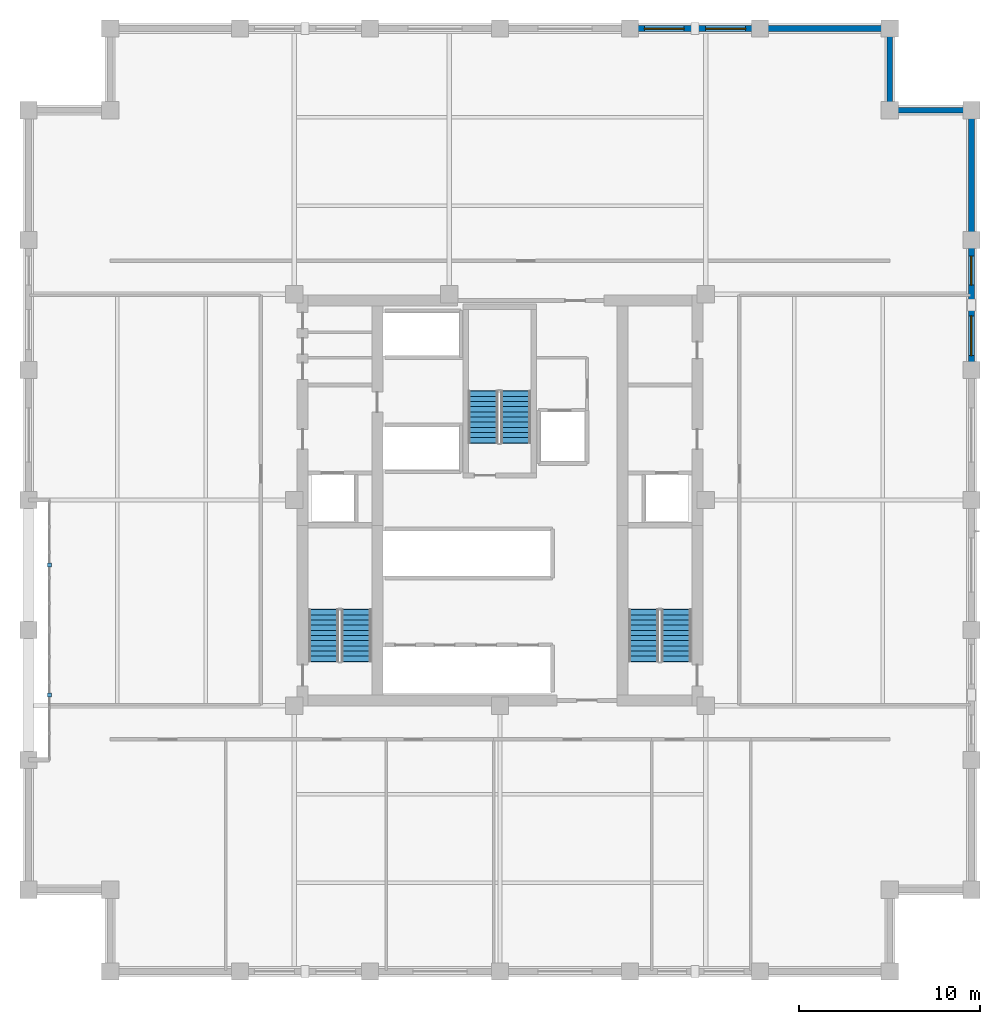
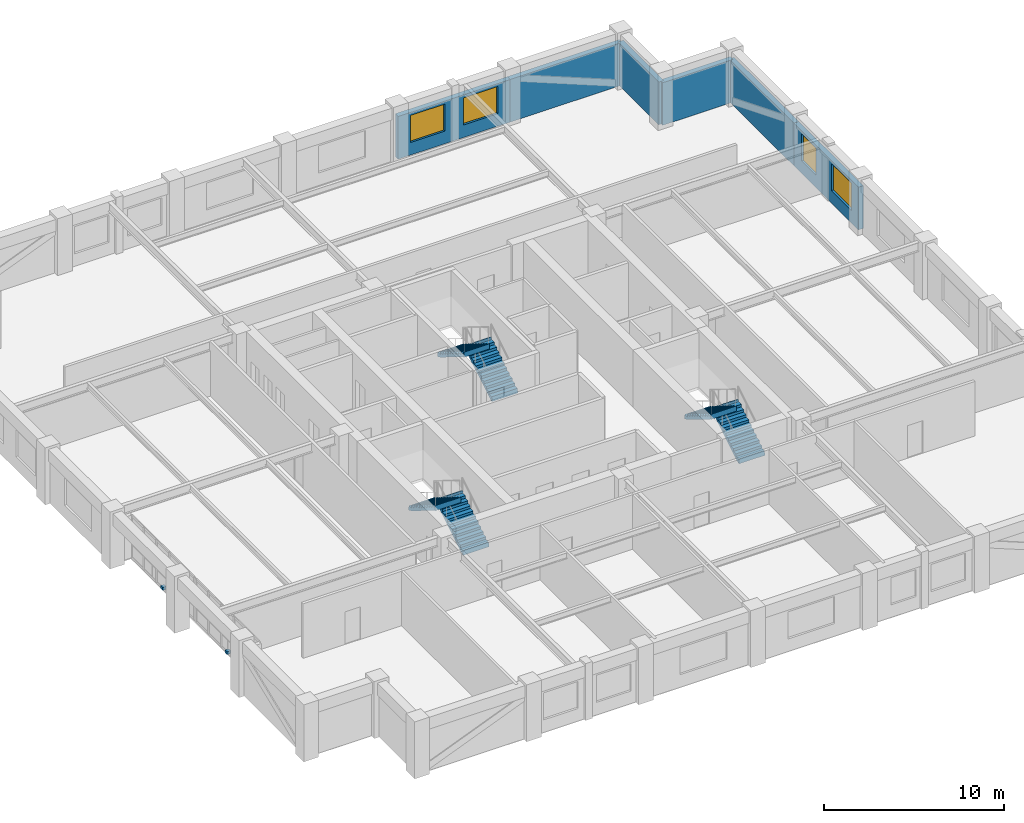
# One storey, part 10 of 12: 6 stair flights, 6 walls, 4 windows, 2 discrete accessories, 4 openings, 3 elements without a shape of their own.
"""IFC4 building model written with IfcOpenShell, lengths in metres."""

from ifc_helpers import new_model, si_unit, direction, frame, frame_2d, origin, origin_2d, place, context, subcontext, project, spatial, polyline, rectangle, outline, extrude, material, layer, layer_set, type_object, element, fill, aggregate, save


model = new_model("IFC4")

# Units and contexts
model_context = context("Model", 3, precision=1e-05, world=origin(), true_north=direction((0.0, 1.0)))
body_context = subcontext(model_context, "Body", "Model", "MODEL_VIEW")
ifc_project = project(units=[si_unit("LENGTHUNIT", "METRE"), si_unit("AREAUNIT", "SQUARE_METRE"), si_unit("VOLUMEUNIT", "CUBIC_METRE"), si_unit("PLANEANGLEUNIT", "RADIAN"), si_unit("MASSUNIT", "GRAM", prefix="KILO")], contexts=[model_context])

# Site, building, storey
site_placement = place(None, origin())
site = spatial("IfcSite", under=ifc_project, at=site_placement, CompositionType="ELEMENT")
building_placement = place(site_placement, origin())
building = spatial("IfcBuilding", under=site, at=building_placement, Name="Nhamokura Convention Tower", CompositionType="ELEMENT")
storey_placement = place(building_placement, frame((0.0, 0.0, 164.5)))
storey = spatial("IfcBuildingStorey", under=building, at=storey_placement, Name="L40", CompositionType="ELEMENT", Elevation=164.5)

# Wall, openings, windows
ifc_material_1 = material(Name="Bronze-pigmented precast concrete C45/55", Category="concrete")
ifc_layer = layer(ifc_material_1, 0.320068359375)
ifc_layer_set = layer_set([ifc_layer], Name="BronzePrecastSpandrel_320")
wall_type = type_object("IfcWallType", Name="BronzePrecastSpandrel_320", PredefinedType="USERDEFINED", material=ifc_layer_set)
wall_1_placement = place(storey_placement, frame((39.166748046875, 58.0, 0.0), z_axis=(0.0, 0.0, 1.0), x_axis=(1.0, 0.0, 0.0)))
wall_1 = element("IfcWall", 1, at=wall_1_placement, inside=storey, type_object=wall_type, Name="L40 Masonry-Frame Wall NORTH 4", ObjectType="SPANDREL_WALL", PredefinedType="USERDEFINED", context=body_context, shape_type="SweptSolid", body=[
    extrude(rectangle(XDim=7.16650390625, YDim=0.320068359375, at=frame_2d((3.583251953125, 0.0))), origin(), (0.0, 0.0, 1.0), 2.885009765625),
])
opening_1_placement = place(wall_1_placement, frame((0.791748046875, 0.0, 0.85009765625)))
opening_1 = element("IfcOpeningElement", 2, at=opening_1_placement, cuts=wall_1, Name="Opening W-06", PredefinedType="OPENING", context=body_context, shape_type="SweptSolid", body=[
    extrude(rectangle(XDim=2.199951171875, YDim=1.8349609375, at=frame_2d((1.10009765625, 0.91748046875))), frame((0.0, 0.169921875, 0.0), z_axis=(0.0, -1.0, 0.0), x_axis=(1.0, 0.0, 0.0)), (0.0, 0.0, 1.0), 0.340087890625),
])
opening_2_placement = place(wall_1_placement, frame((4.175048828125, 0.0, 0.85009765625)))
opening_2 = element("IfcOpeningElement", 3, at=opening_2_placement, cuts=wall_1, Name="Opening W-06", PredefinedType="OPENING", context=body_context, shape_type="SweptSolid", body=[
    extrude(rectangle(XDim=2.199951171875, YDim=1.8349609375, at=frame_2d((1.10009765625, 0.91748046875))), frame((0.0, 0.169921875, 0.0), z_axis=(0.0, -1.0, 0.0), x_axis=(1.0, 0.0, 0.0)), (0.0, 0.0, 1.0), 0.340087890625),
])
ifc_material_2 = material(Name="Solar-control bronze low-E double glass", Category="glass")
window_type_1 = type_object("IfcWindowType", Name="OfficeModuleWindow_Z2_2200", PartitioningType="SINGLE_PANEL", PredefinedType="WINDOW", material=ifc_material_2)
window_1_placement = place(opening_1_placement, origin())
window_1 = element("IfcWindow", 4, at=window_1_placement, inside=storey, type_object=window_type_1, Name="L40 Facade Window NORTH 4-1", OverallHeight=1.8349609375, OverallWidth=2.199951171875, PartitioningType="SINGLE_PANEL", PredefinedType="WINDOW", context=body_context, shape_type="SweptSolid", body=[
    extrude(rectangle(XDim=2.199951171875, YDim=1.8349609375, at=frame_2d((1.10009765625, 0.91748046875))), frame((0.0, 0.030029296875, 0.0), z_axis=(0.0, -1.0, 0.0), x_axis=(1.0, 0.0, 0.0)), (0.0, 0.0, 1.0), 0.06005859375),
])
fill(opening_1, window_1)
window_2_placement = place(opening_2_placement, origin())
window_2 = element("IfcWindow", 5, at=window_2_placement, inside=storey, type_object=window_type_1, Name="L40 Facade Window NORTH 4-2", OverallHeight=1.8349609375, OverallWidth=2.199951171875, PartitioningType="SINGLE_PANEL", PredefinedType="WINDOW", context=body_context, shape_type="SweptSolid", body=[
    extrude(rectangle(XDim=2.199951171875, YDim=1.8349609375, at=frame_2d((1.10009765625, 0.91748046875))), frame((0.0, 0.030029296875, 0.0), z_axis=(0.0, -1.0, 0.0), x_axis=(1.0, 0.0, 0.0)), (0.0, 0.0, 1.0), 0.06005859375),
])
fill(opening_2, window_2)

# Wall
wall_2_placement = place(storey_placement, frame((46.333251953125, 58.0, 0.0), z_axis=(0.0, 0.0, 1.0), x_axis=(1.0, 0.0, 0.0)))
element("IfcWall", 6, at=wall_2_placement, inside=storey, type_object=wall_type, Name="L40 Braced-Bay Precast Wall NORTH 5", ObjectType="SPANDREL_WALL", PredefinedType="USERDEFINED", context=body_context, shape_type="SweptSolid", body=[
    extrude(rectangle(XDim=7.166748046875, YDim=0.320068359375, at=frame_2d((3.58349609375, 0.0))), origin(), (0.0, 0.0, 1.0), 2.885009765625),
])

# Wall, openings, windows
wall_3_placement = place(storey_placement, frame((58.0, 46.333251953125, 0.0), z_axis=(0.0, 0.0, 1.0), x_axis=(0.0, -1.0, 0.0)))
wall_3 = element("IfcWall", 7, at=wall_3_placement, inside=storey, type_object=wall_type, Name="L40 Masonry-Frame Wall EAST 4", ObjectType="SPANDREL_WALL", PredefinedType="USERDEFINED", context=body_context, shape_type="SweptSolid", body=[
    extrude(rectangle(XDim=7.16650390625, YDim=0.320068359375, at=frame_2d((3.583251953125, 0.0))), origin(), (0.0, 0.0, 1.0), 2.885009765625),
])
opening_3_placement = place(wall_3_placement, frame((0.879150390625, 0.0, 0.85009765625)))
opening_3 = element("IfcOpeningElement", 8, at=opening_3_placement, cuts=wall_3, Name="Opening W-11", PredefinedType="OPENING", context=body_context, shape_type="SweptSolid", body=[
    extrude(rectangle(XDim=1.60009765625, YDim=1.8349609375, at=frame_2d((0.800048828125, 0.91748046875))), frame((0.0, 0.169921875, 0.0), z_axis=(0.0, -1.0, 0.0), x_axis=(1.0, 0.0, 0.0)), (0.0, 0.0, 1.0), 0.340087890625),
])
opening_4_placement = place(wall_3_placement, frame((4.175048828125, 0.0, 0.85009765625)))
opening_4 = element("IfcOpeningElement", 9, at=opening_4_placement, cuts=wall_3, Name="Opening W-06", PredefinedType="OPENING", context=body_context, shape_type="SweptSolid", body=[
    extrude(rectangle(XDim=2.199951171875, YDim=1.8349609375, at=frame_2d((1.10009765625, 0.91748046875))), frame((0.0, 0.169921875, 0.0), z_axis=(0.0, -1.0, 0.0), x_axis=(1.0, 0.0, 0.0)), (0.0, 0.0, 1.0), 0.340087890625),
])
ifc_material_3 = material(Name="Solar-control bronze low-E double glass", Category="glass")
window_type_2 = type_object("IfcWindowType", Name="NotchCornerWindow_1600", PartitioningType="SINGLE_PANEL", PredefinedType="WINDOW", material=ifc_material_3)
window_3_placement = place(opening_3_placement, origin())
window_3 = element("IfcWindow", 10, at=window_3_placement, inside=storey, type_object=window_type_2, Name="L40 Facade Window EAST 4-1", OverallHeight=1.8349609375, OverallWidth=1.60009765625, PartitioningType="SINGLE_PANEL", PredefinedType="WINDOW", context=body_context, shape_type="SweptSolid", body=[
    extrude(rectangle(XDim=1.60009765625, YDim=1.8349609375, at=frame_2d((0.800048828125, 0.91748046875))), frame((0.0, 0.030029296875, 0.0), z_axis=(0.0, -1.0, 0.0), x_axis=(1.0, 0.0, 0.0)), (0.0, 0.0, 1.0), 0.06005859375),
])
fill(opening_3, window_3)
window_4_placement = place(opening_4_placement, origin())
window_4 = element("IfcWindow", 11, at=window_4_placement, inside=storey, type_object=window_type_1, Name="L40 Facade Window EAST 4-2", OverallHeight=1.8349609375, OverallWidth=2.199951171875, PartitioningType="SINGLE_PANEL", PredefinedType="WINDOW", context=body_context, shape_type="SweptSolid", body=[
    extrude(rectangle(XDim=2.199951171875, YDim=1.8349609375, at=frame_2d((1.10009765625, 0.91748046875))), frame((0.0, 0.030029296875, 0.0), z_axis=(0.0, -1.0, 0.0), x_axis=(1.0, 0.0, 0.0)), (0.0, 0.0, 1.0), 0.06005859375),
])
fill(opening_4, window_4)

# Walls
wall_4_placement = place(storey_placement, frame((58.0, 53.5, 0.0), z_axis=(0.0, 0.0, 1.0), x_axis=(0.0, -1.0, 0.0)))
element("IfcWall", 12, at=wall_4_placement, inside=storey, type_object=wall_type, Name="L40 Braced-Bay Precast Wall EAST 5", ObjectType="SPANDREL_WALL", PredefinedType="USERDEFINED", context=body_context, shape_type="SweptSolid", body=[
    extrude(rectangle(XDim=7.166748046875, YDim=0.320068359375, at=frame_2d((3.58349609375, 0.0))), origin(), (0.0, 0.0, 1.0), 2.885009765625),
])
for number, where, z_axis, x_axis, name in (
    (13, (53.5, 53.5, 0.0), (0.0, 0.0, 1.0), (1.0, 0.0, 0.0), "L40 Notched Corner Wall NE1"),
    (14, (53.5, 58.0, 0.0), (0.0, 0.0, 1.0), (0.0, -1.0, 0.0), "L40 Notched Corner Wall NE2"),
):
    element("IfcWall", number, at=place(storey_placement, frame(where, z_axis=z_axis, x_axis=x_axis)), inside=storey, type_object=wall_type, Name=name, ObjectType="SPANDREL_WALL", PredefinedType="USERDEFINED", context=body_context, shape_type="SweptSolid", body=[
        extrude(rectangle(XDim=4.5, YDim=0.320068359375, at=frame_2d((2.25, 0.0))), origin(), (0.0, 0.0, 1.0), 2.885009765625),
    ])

# Stair, stair flights
ifc_material_4 = material(Name="Concrete C40/50", Category="concrete")
stair_type = type_object("IfcStairType", Name="TowerCoreStair_1650", PredefinedType="HALF_TURN_STAIR", material=ifc_material_4)
stair_1_placement = place(storey_placement, origin())
stair_1 = element("IfcStair", 15, at=stair_1_placement, inside=storey, type_object=stair_type, Name="L40 West Core Smokeproof Stair ST-01", PredefinedType="HALF_TURN_STAIR")
ifc_material_5 = material(Name="Concrete C40/50", Category="concrete")
stair_flight_type = type_object("IfcStairFlightType", Name="TowerCoreStair_1650_Flight", PredefinedType="STRAIGHT", material=ifc_material_5)
stair_flight_1_placement = place(storey_placement, frame((24.074951171875, 23.10009765625, 0.0), z_axis=(0.0, 0.0, 1.0), x_axis=(0.0, 1.0, 0.0)))
stair_flight_1 = element("IfcStairFlight", 16, at=stair_flight_1_placement, type_object=stair_flight_type, Name="ST-01 flight 1", NumberOfRisers=11, NumberOfTreads=10, PredefinedType="STRAIGHT", RiserHeight=0.175, TreadLength=0.285, context=body_context, shape_type="SweptSolid", body=[
    extrude(outline(polyline([(-0.0419921875, 0.0), (0.0, 0.175048828125), (0.284912109375, 0.175048828125), (0.284912109375, 0.35009765625), (0.570068359375, 0.35009765625), (0.570068359375, 0.52490234375), (0.85498046875, 0.52490234375), (0.85498046875, 0.699951171875), (1.139892578125, 0.699951171875), (1.139892578125, 0.875), (1.425048828125, 0.875), (1.425048828125, 1.050048828125), (1.7099609375, 1.050048828125), (1.7099609375, 1.22509765625), (1.9951171875, 1.22509765625), (1.9951171875, 1.39990234375), (2.280029296875, 1.39990234375), (2.280029296875, 1.574951171875), (2.56494140625, 1.574951171875), (2.56494140625, 1.75), (2.85009765625, 1.75), (2.85009765625, 1.925048828125), (2.89208984375, 1.925048828125), (2.89208984375, 1.573974609375), (2.85009765625, 1.573974609375), (0.286376953125, 0.0), (0.02001953125, -0.1298828125), (-0.0419921875, -0.1298828125), (-0.0419921875, 0.0)])), frame((0.0, 0.824951171875, 0.0), z_axis=(0.0, -1.0, 0.0), x_axis=(1.0, 0.0, 0.0)), (0.0, 0.0, 1.0), 1.64990234375),
])
stair_flight_2_placement = place(storey_placement, frame((22.27490234375, 25.949951171875, 1.925048828125), z_axis=(0.0, 0.0, 1.0), x_axis=(0.0, -1.0, 0.0)))
stair_flight_2 = element("IfcStairFlight", 17, at=stair_flight_2_placement, type_object=stair_flight_type, Name="ST-01 flight 2", NumberOfRisers=11, NumberOfTreads=10, PredefinedType="STRAIGHT", RiserHeight=0.175, TreadLength=0.285, context=body_context, shape_type="SweptSolid", body=[
    extrude(outline(polyline([(-0.0419921875, 0.0), (0.0, 0.175048828125), (0.284912109375, 0.175048828125), (0.284912109375, 0.35009765625), (0.570068359375, 0.35009765625), (0.570068359375, 0.52490234375), (0.85498046875, 0.52490234375), (0.85498046875, 0.699951171875), (1.139892578125, 0.699951171875), (1.139892578125, 0.875), (1.425048828125, 0.875), (1.425048828125, 1.050048828125), (1.7099609375, 1.050048828125), (1.7099609375, 1.22509765625), (1.9951171875, 1.22509765625), (1.9951171875, 1.39990234375), (2.280029296875, 1.39990234375), (2.280029296875, 1.574951171875), (2.56494140625, 1.574951171875), (2.56494140625, 1.75), (2.85009765625, 1.75), (2.85009765625, 1.925048828125), (2.89208984375, 1.925048828125), (2.89208984375, 1.573974609375), (2.85009765625, 1.573974609375), (0.286376953125, 0.0), (0.02001953125, -0.1298828125), (-0.0419921875, -0.1298828125), (-0.0419921875, 0.0)])), frame((0.0, 0.824951171875, 0.0), z_axis=(0.0, -1.0, 0.0), x_axis=(1.0, 0.0, 0.0)), (0.0, 0.0, 1.0), 1.64990234375),
])
aggregate(stair_1, [stair_flight_1, stair_flight_2])

stair_2_placement = place(storey_placement, origin())
stair_2 = element("IfcStair", 18, at=stair_2_placement, inside=storey, type_object=stair_type, Name="L40 East Core Smokeproof Stair ST-02", PredefinedType="HALF_TURN_STAIR")
stair_flight_3_placement = place(storey_placement, frame((41.72509765625, 23.10009765625, 0.0), z_axis=(0.0, 0.0, 1.0), x_axis=(0.0, 1.0, 0.0)))
stair_flight_3 = element("IfcStairFlight", 19, at=stair_flight_3_placement, type_object=stair_flight_type, Name="ST-02 flight 1", NumberOfRisers=11, NumberOfTreads=10, PredefinedType="STRAIGHT", RiserHeight=0.175, TreadLength=0.285, context=body_context, shape_type="SweptSolid", body=[
    extrude(outline(polyline([(-0.0419921875, 0.0), (0.0, 0.175048828125), (0.284912109375, 0.175048828125), (0.284912109375, 0.35009765625), (0.570068359375, 0.35009765625), (0.570068359375, 0.52490234375), (0.85498046875, 0.52490234375), (0.85498046875, 0.699951171875), (1.139892578125, 0.699951171875), (1.139892578125, 0.875), (1.425048828125, 0.875), (1.425048828125, 1.050048828125), (1.7099609375, 1.050048828125), (1.7099609375, 1.22509765625), (1.9951171875, 1.22509765625), (1.9951171875, 1.39990234375), (2.280029296875, 1.39990234375), (2.280029296875, 1.574951171875), (2.56494140625, 1.574951171875), (2.56494140625, 1.75), (2.85009765625, 1.75), (2.85009765625, 1.925048828125), (2.89208984375, 1.925048828125), (2.89208984375, 1.573974609375), (2.85009765625, 1.573974609375), (0.286376953125, 0.0), (0.02001953125, -0.1298828125), (-0.0419921875, -0.1298828125), (-0.0419921875, 0.0)])), frame((0.0, 0.824951171875, 0.0), z_axis=(0.0, -1.0, 0.0), x_axis=(1.0, 0.0, 0.0)), (0.0, 0.0, 1.0), 1.64990234375),
])
stair_flight_4_placement = place(storey_placement, frame((39.925048828125, 25.949951171875, 1.925048828125), z_axis=(0.0, 0.0, 1.0), x_axis=(0.0, -1.0, 0.0)))
stair_flight_4 = element("IfcStairFlight", 20, at=stair_flight_4_placement, type_object=stair_flight_type, Name="ST-02 flight 2", NumberOfRisers=11, NumberOfTreads=10, PredefinedType="STRAIGHT", RiserHeight=0.175, TreadLength=0.285, context=body_context, shape_type="SweptSolid", body=[
    extrude(outline(polyline([(-0.0419921875, 0.0), (0.0, 0.175048828125), (0.284912109375, 0.175048828125), (0.284912109375, 0.35009765625), (0.570068359375, 0.35009765625), (0.570068359375, 0.52490234375), (0.85498046875, 0.52490234375), (0.85498046875, 0.699951171875), (1.139892578125, 0.699951171875), (1.139892578125, 0.875), (1.425048828125, 0.875), (1.425048828125, 1.050048828125), (1.7099609375, 1.050048828125), (1.7099609375, 1.22509765625), (1.9951171875, 1.22509765625), (1.9951171875, 1.39990234375), (2.280029296875, 1.39990234375), (2.280029296875, 1.574951171875), (2.56494140625, 1.574951171875), (2.56494140625, 1.75), (2.85009765625, 1.75), (2.85009765625, 1.925048828125), (2.89208984375, 1.925048828125), (2.89208984375, 1.573974609375), (2.85009765625, 1.573974609375), (0.286376953125, 0.0), (0.02001953125, -0.1298828125), (-0.0419921875, -0.1298828125), (-0.0419921875, 0.0)])), frame((0.0, 0.824951171875, 0.0), z_axis=(0.0, -1.0, 0.0), x_axis=(1.0, 0.0, 0.0)), (0.0, 0.0, 1.0), 1.64990234375),
])
aggregate(stair_2, [stair_flight_3, stair_flight_4])

stair_3_placement = place(storey_placement, origin())
stair_3 = element("IfcStair", 21, at=stair_3_placement, inside=storey, type_object=stair_type, Name="L40 North Core Smokeproof Stair ST-03", PredefinedType="HALF_TURN_STAIR")
stair_flight_5_placement = place(storey_placement, frame((32.875, 35.14990234375, 0.0), z_axis=(0.0, 0.0, 1.0), x_axis=(0.0, 1.0, 0.0)))
stair_flight_5 = element("IfcStairFlight", 22, at=stair_flight_5_placement, type_object=stair_flight_type, Name="ST-03 flight 1", NumberOfRisers=11, NumberOfTreads=10, PredefinedType="STRAIGHT", RiserHeight=0.175, TreadLength=0.285, context=body_context, shape_type="SweptSolid", body=[
    extrude(outline(polyline([(-0.0419921875, 0.0), (0.0, 0.175048828125), (0.284912109375, 0.175048828125), (0.284912109375, 0.35009765625), (0.570068359375, 0.35009765625), (0.570068359375, 0.52490234375), (0.85498046875, 0.52490234375), (0.85498046875, 0.699951171875), (1.139892578125, 0.699951171875), (1.139892578125, 0.875), (1.425048828125, 0.875), (1.425048828125, 1.050048828125), (1.7099609375, 1.050048828125), (1.7099609375, 1.22509765625), (1.9951171875, 1.22509765625), (1.9951171875, 1.39990234375), (2.280029296875, 1.39990234375), (2.280029296875, 1.574951171875), (2.56494140625, 1.574951171875), (2.56494140625, 1.75), (2.85009765625, 1.75), (2.85009765625, 1.925048828125), (2.89208984375, 1.925048828125), (2.89208984375, 1.573974609375), (2.85009765625, 1.573974609375), (0.286376953125, 0.0), (0.02001953125, -0.1298828125), (-0.0419921875, -0.1298828125), (-0.0419921875, 0.0)])), frame((0.0, 0.824951171875, 0.0), z_axis=(0.0, -1.0, 0.0), x_axis=(1.0, 0.0, 0.0)), (0.0, 0.0, 1.0), 1.64990234375),
])
stair_flight_6_placement = place(storey_placement, frame((31.074951171875, 38.0, 1.925048828125), z_axis=(0.0, 0.0, 1.0), x_axis=(0.0, -1.0, 0.0)))
stair_flight_6 = element("IfcStairFlight", 23, at=stair_flight_6_placement, type_object=stair_flight_type, Name="ST-03 flight 2", NumberOfRisers=11, NumberOfTreads=10, PredefinedType="STRAIGHT", RiserHeight=0.175, TreadLength=0.285, context=body_context, shape_type="SweptSolid", body=[
    extrude(outline(polyline([(-0.0419921875, 0.0), (0.0, 0.175048828125), (0.284912109375, 0.175048828125), (0.284912109375, 0.35009765625), (0.570068359375, 0.35009765625), (0.570068359375, 0.52490234375), (0.85498046875, 0.52490234375), (0.85498046875, 0.699951171875), (1.139892578125, 0.699951171875), (1.139892578125, 0.875), (1.425048828125, 0.875), (1.425048828125, 1.050048828125), (1.7099609375, 1.050048828125), (1.7099609375, 1.22509765625), (1.9951171875, 1.22509765625), (1.9951171875, 1.39990234375), (2.280029296875, 1.39990234375), (2.280029296875, 1.574951171875), (2.56494140625, 1.574951171875), (2.56494140625, 1.75), (2.85009765625, 1.75), (2.85009765625, 1.925048828125), (2.89208984375, 1.925048828125), (2.89208984375, 1.573974609375), (2.85009765625, 1.573974609375), (0.286376953125, 0.0), (0.02001953125, -0.1298828125), (-0.0419921875, -0.1298828125), (-0.0419921875, 0.0)])), frame((0.0, 0.824951171875, 0.0), z_axis=(0.0, -1.0, 0.0), x_axis=(1.0, 0.0, 0.0)), (0.0, 0.0, 1.0), 1.64990234375),
])
aggregate(stair_3, [stair_flight_5, stair_flight_6])

# Discrete accessories
ifc_material_6 = material(Name="Steel ASTM A572 Gr 50", Category="steel")
discrete_accessory_type = type_object("IfcDiscreteAccessoryType", Name="FacadeOutstandBracket", PredefinedType="BRACKET", material=ifc_material_6)
for number, where, z_axis, x_axis, name in (
    (24, (7.14990234375, 21.25, -0.02001953125), (0.0, 0.0, 1.0), (1.0, 0.0, 0.0), "L40 Scale Slot Base Shoe Bracket WEST 1"),
    (25, (7.14990234375, 28.416748046875, -0.02001953125), (0.0, 0.0, 1.0), (1.0, 0.0, 0.0), "L40 Scale Slot Base Shoe Bracket WEST 2"),
):
    element("IfcDiscreteAccessory", number, at=place(storey_placement, frame(where, z_axis=z_axis, x_axis=x_axis)), inside=storey, type_object=discrete_accessory_type, Name=name, PredefinedType="BRACKET", context=body_context, shape_type="SweptSolid", body=[
        extrude(rectangle(XDim=0.219970703125, YDim=0.219970703125, at=origin_2d()), origin(), (0.0, 0.0, 1.0), 0.199951171875),
    ])

save(model, "model.ifc")
